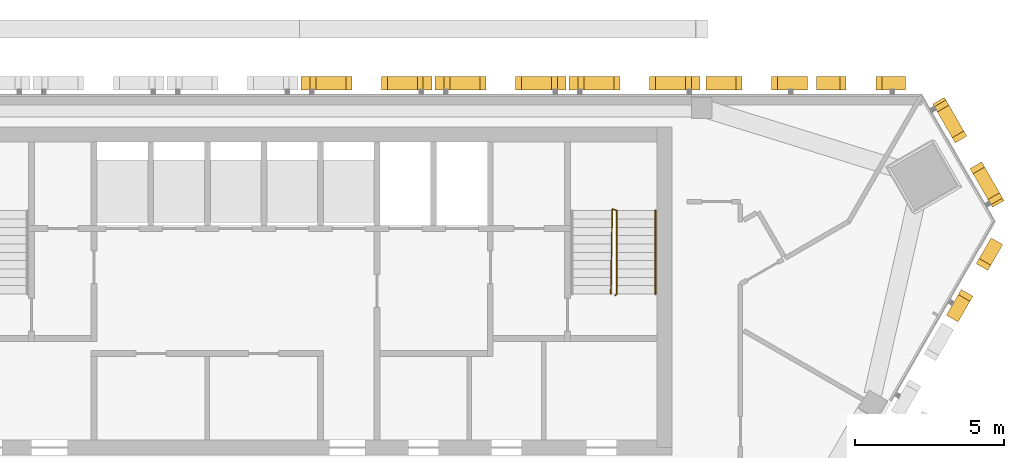
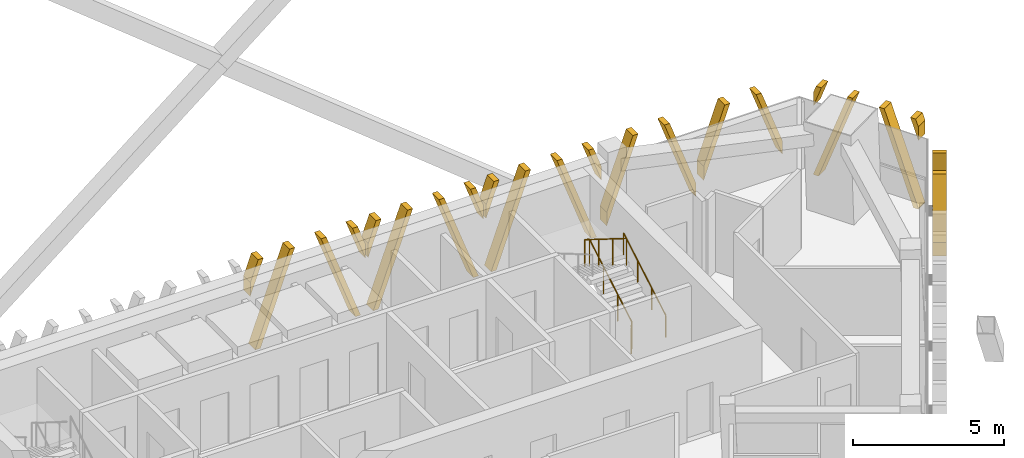
# One storey, part 13 of 14: 7 shading devices, 2 railings.
"""IFC4 building model written with IfcOpenShell, lengths in metres."""

from ifc_helpers import new_model, si_unit, direction, frame, origin, origin_2d, place, context, subcontext, project, spatial, polyline, circle, outline, extrude, source, transform, mapped, material, type_object, element, save


model = new_model("IFC4")

# Units and contexts
model_context = context("Model", 3, precision=1e-05, world=origin(), true_north=direction((0.0, 1.0)))
body_context = subcontext(model_context, "Body", "Model", "MODEL_VIEW")
ifc_project = project(units=[si_unit("LENGTHUNIT", "METRE"), si_unit("AREAUNIT", "SQUARE_METRE"), si_unit("VOLUMEUNIT", "CUBIC_METRE"), si_unit("PLANEANGLEUNIT", "RADIAN"), si_unit("MASSUNIT", "GRAM", prefix="KILO")], contexts=[model_context])

# Site, building, storey
site_placement = place(None, origin())
site = spatial("IfcSite", under=ifc_project, at=site_placement, CompositionType="ELEMENT")
building_placement = place(site_placement, origin())
building = spatial("IfcBuilding", under=site, at=building_placement, Name="Altiplano Prism Tower", CompositionType="ELEMENT")
storey_placement = place(building_placement, frame((0.0, 0.0, 264.39990234375)))
storey = spatial("IfcBuildingStorey", under=building, at=storey_placement, Name="L68", CompositionType="ELEMENT", Elevation=264.39990234375)

# Railings
ifc_material_1 = material(Name="Steel S355", Category="steel")
railing_type_1 = type_object("IfcRailingType", Name="Stair guard 1100", PredefinedType="GUARDRAIL", material=ifc_material_1)
railing_1_placement = place(storey_placement, frame((95.60009765625, 98.25, 0.0)))
element("IfcRailing", 1, at=railing_1_placement, inside=storey, type_object=railing_type_1, Name="L68 ST2 stair guard 1", PredefinedType="GUARDRAIL", context=body_context, shape_type="SweptSolid", body=[
    extrude(circle(Radius=0.02392578125, at=origin_2d()), frame((0.0, 0.0, 1.076171875), z_axis=(0.279194930351, 0.280563532951, 0.91833234444), x_axis=(-0.708833529934, 0.705375805398, 0.0)), (0.0, 0.0, 1.0), 0.178466796875),
    extrude(circle(Radius=0.02392578125, at=origin_2d()), frame((0.0498046875, 0.050048828125, 1.23974609375), z_axis=(0.0, 0.863393664356, 0.504530851732), x_axis=(-1.0, 0.0, 0.0)), (0.0, 0.0, 1.0), 3.2431640625),
    extrude(circle(Radius=0.02392578125, at=origin_2d()), frame((0.0498046875, 2.85009765625, 2.8759765625), z_axis=(-0.948991962702, 0.315300261223, 0.0), x_axis=(-0.315300261223, -0.948991962702, 0.0)), (0.0, 0.0, 1.0), 0.157958984375),
    extrude(circle(Radius=0.02392578125, at=origin_2d()), frame((-0.10009765625, 2.89990234375, 2.8759765625), z_axis=(-0.014846418356, -0.845376787675, 0.533964109957), x_axis=(0.999845825584, -0.017559187376, 0.0)), (0.0, 0.0, 1.0), 3.37109375),
    extrude(circle(Radius=0.02099609375, at=origin_2d()), origin(), (0.0, 0.0, 1.0), 1.052001953125),
    extrude(circle(Radius=0.02099609375, at=origin_2d()), frame((0.0498046875, 0.050048828125, 0.163818359375)), (0.0, 0.0, 1.0), 1.052001953125),
    extrude(circle(Radius=0.02099609375, at=origin_2d()), frame((0.0498046875, 0.9833984375, 0.709228515625)), (0.0, 0.0, 1.0), 1.052001953125),
    extrude(circle(Radius=0.02099609375, at=origin_2d()), frame((0.0498046875, 1.916748046875, 1.254638671875)), (0.0, 0.0, 1.0), 1.052001953125),
    extrude(circle(Radius=0.02099609375, at=origin_2d()), frame((0.0498046875, 2.85009765625, 1.800048828125)), (0.0, 0.0, 1.0), 1.052001953125),
    extrude(circle(Radius=0.02099609375, at=origin_2d()), frame((-0.10009765625, 2.89990234375, 1.800048828125)), (0.0, 0.0, 1.0), 1.052001953125),
    extrude(circle(Radius=0.02099609375, at=origin_2d()), frame((-0.11669921875, 1.949951171875, 2.400146484375)), (0.0, 0.0, 1.0), 1.052001953125),
    extrude(circle(Radius=0.02099609375, at=origin_2d()), frame((-0.133544921875, 1.0, 3.0)), (0.0, 0.0, 1.0), 1.052001953125),
    extrude(circle(Radius=0.02099609375, at=origin_2d()), frame((-0.150146484375, 0.050048828125, 3.60009765625)), (0.0, 0.0, 1.0), 1.052001953125),
])
railing_type_2 = type_object("IfcRailingType", Name="Stair handrail 900", PredefinedType="HANDRAIL", material=ifc_material_1)
railing_2_placement = place(storey_placement, frame((96.949951171875, 98.300048828125, 0.163818359375)))
element("IfcRailing", 2, at=railing_2_placement, inside=storey, type_object=railing_type_2, Name="L68 ST2 stair handrail 1", PredefinedType="HANDRAIL", context=body_context, shape_type="SweptSolid", body=[
    extrude(circle(Radius=0.02392578125, at=origin_2d()), frame((0.0, 0.0, 0.8759765625), z_axis=(0.0, 0.863393664356, 0.504530851732), x_axis=(-1.0, 0.0, 0.0)), (0.0, 0.0, 1.0), 3.2431640625),
    extrude(circle(Radius=0.02099609375, at=origin_2d()), origin(), (0.0, 0.0, 1.0), 0.851806640625),
    extrude(circle(Radius=0.02099609375, at=origin_2d()), frame((0.0, 0.933349609375, 0.54541015625)), (0.0, 0.0, 1.0), 0.851806640625),
    extrude(circle(Radius=0.02099609375, at=origin_2d()), frame((0.0, 1.86669921875, 1.0908203125)), (0.0, 0.0, 1.0), 0.851806640625),
    extrude(circle(Radius=0.02099609375, at=origin_2d()), frame((0.0, 2.800048828125, 1.63623046875)), (0.0, 0.0, 1.0), 0.851806640625),
])

# Shading devices
ifc_material_2 = material(Name="Warm limestone cast stone", Category="masonry")
shading_device_type_1 = type_object("IfcShadingDeviceType", Name="Stone fin panel, standard unit", PredefinedType="USERDEFINED", material=ifc_material_2)
shared_shape_1 = source(origin(), body_context, "Body", "SweptSolid", [
    extrude(outline(polyline([(-2.199951171875, 2.226318359375), (-1.699951171875, 3.60009765625), (-1.89990234375, 3.60009765625), (-2.199951171875, 2.77587890625), (-2.199951171875, 2.226318359375)])), frame((0.0, -0.14990234375, 0.0), z_axis=(0.0, -1.0, 0.0), x_axis=(1.0, 0.0, 0.0)), (0.0, 0.0, 1.0), 0.4501953125),
    extrude(outline(polyline([(-2.01025390625, 0.0), (-1.810302734375, 0.0), (-0.5, 3.60009765625), (-0.699951171875, 3.60009765625), (-2.01025390625, 0.0)])), frame((0.0, -0.14990234375, 0.0), z_axis=(0.0, -1.0, 0.0), x_axis=(1.0, 0.0, 0.0)), (0.0, 0.0, 1.0), 0.4501953125),
    extrude(outline(polyline([(1.810302734375, 0.0), (2.01025390625, 0.0), (0.699951171875, 3.60009765625), (0.5, 3.60009765625), (1.810302734375, 0.0)])), frame((0.0, -0.14990234375, 0.0), z_axis=(0.0, -1.0, 0.0), x_axis=(1.0, 0.0, 0.0)), (0.0, 0.0, 1.0), 0.4501953125),
    extrude(outline(polyline([(2.199951171875, 2.77587890625), (1.89990234375, 3.60009765625), (1.699951171875, 3.60009765625), (2.199951171875, 2.226318359375), (2.199951171875, 2.77587890625)])), frame((0.0, -0.14990234375, 0.0), z_axis=(0.0, -1.0, 0.0), x_axis=(1.0, 0.0, 0.0)), (0.0, 0.0, 1.0), 0.4501953125),
])
shading_device_1_placement = place(storey_placement, origin())
element("IfcShadingDevice", 3, at=shading_device_1_placement, inside=storey, type_object=shading_device_type_1, Name="Fin L68 north face 3", ObjectType="FIN", PredefinedType="USERDEFINED", context=body_context, shape_type="MappedRepresentation", body=[
    mapped(shared_shape_1, transform((96.25, 105.0, -0.39990234375), x_axis=(-1.0, 0.0, 0.0), y_axis=(0.0, -1.0, 0.0), z_axis=(0.0, 0.0, 1.0))),
])
shading_device_2_placement = place(storey_placement, origin())
element("IfcShadingDevice", 4, at=shading_device_2_placement, inside=storey, type_object=shading_device_type_1, Name="Fin L68 north face 4", ObjectType="FIN", PredefinedType="USERDEFINED", context=body_context, shape_type="MappedRepresentation", body=[
    mapped(shared_shape_1, transform((91.75, 105.0, -0.39990234375), x_axis=(-1.0, 0.0, 0.0), y_axis=(0.0, -1.0, 0.0), z_axis=(0.0, 0.0, 1.0))),
])
shading_device_3_placement = place(storey_placement, origin())
element("IfcShadingDevice", 5, at=shading_device_3_placement, inside=storey, type_object=shading_device_type_1, Name="Fin L68 north face 5", ObjectType="FIN", PredefinedType="USERDEFINED", context=body_context, shape_type="MappedRepresentation", body=[
    mapped(shared_shape_1, transform((87.25, 105.0, -0.39990234375), x_axis=(-1.0, 0.0, 0.0), y_axis=(0.0, -1.0, 0.0), z_axis=(0.0, 0.0, 1.0))),
])
shading_device_type_2 = type_object("IfcShadingDeviceType", Name="Stone fin panel, narrow closing bay", PredefinedType="USERDEFINED", material=ifc_material_2)
shared_shape_2 = source(origin(), body_context, "Body", "SweptSolid", [
    extrude(outline(polyline([(-1.699951171875, 0.302978515625), (-0.5, 3.60009765625), (-0.699951171875, 3.60009765625), (-1.699951171875, 0.8525390625), (-1.699951171875, 0.302978515625)])), frame((0.0, -0.14990234375, 0.0), z_axis=(0.0, -1.0, 0.0), x_axis=(1.0, 0.0, 0.0)), (0.0, 0.0, 1.0), 0.4501953125),
    extrude(outline(polyline([(1.699951171875, 0.8525390625), (0.699951171875, 3.60009765625), (0.5, 3.60009765625), (1.699951171875, 0.302978515625), (1.699951171875, 0.8525390625)])), frame((0.0, -0.14990234375, 0.0), z_axis=(0.0, -1.0, 0.0), x_axis=(1.0, 0.0, 0.0)), (0.0, 0.0, 1.0), 0.4501953125),
])
shading_device_4_placement = place(storey_placement, origin())
element("IfcShadingDevice", 6, at=shading_device_4_placement, inside=storey, type_object=shading_device_type_2, Name="Fin L68 north face 2", ObjectType="FIN", PredefinedType="USERDEFINED", context=body_context, shape_type="MappedRepresentation", body=[
    mapped(shared_shape_2, transform((100.349853515625, 105.0, -0.39990234375), x_axis=(-1.0, 0.0, 0.0), y_axis=(0.0, -1.0, 0.0), z_axis=(0.0, 0.0, 1.0))),
])
shared_shape_3 = source(origin(), body_context, "Body", "SweptSolid", [
    extrude(outline(polyline([(-1.5, 0.8525390625), (-0.5, 3.60009765625), (-0.699951171875, 3.60009765625), (-1.5, 1.402099609375), (-1.5, 0.8525390625)])), frame((0.0, -0.14990234375, 0.0), z_axis=(0.0, -1.0, 0.0), x_axis=(1.0, 0.0, 0.0)), (0.0, 0.0, 1.0), 0.4501953125),
    extrude(outline(polyline([(1.5, 1.402099609375), (0.699951171875, 3.60009765625), (0.5, 3.60009765625), (1.5, 0.8525390625), (1.5, 1.402099609375)])), frame((0.0, -0.14990234375, 0.0), z_axis=(0.0, -1.0, 0.0), x_axis=(1.0, 0.0, 0.0)), (0.0, 0.0, 1.0), 0.4501953125),
])
shading_device_5_placement = place(storey_placement, origin())
element("IfcShadingDevice", 7, at=shading_device_5_placement, inside=storey, type_object=shading_device_type_2, Name="Fin L68 north face 1", ObjectType="FIN", PredefinedType="USERDEFINED", context=body_context, shape_type="MappedRepresentation", body=[
    mapped(shared_shape_3, transform((103.849365234375, 105.0, -0.39990234375), x_axis=(-1.0, 0.0, 0.0), y_axis=(0.0, -1.0, 0.0), z_axis=(0.0, 0.0, 1.0))),
])
shading_device_6_placement = place(storey_placement, origin())
element("IfcShadingDevice", 8, at=shading_device_6_placement, inside=storey, type_object=shading_device_type_2, Name="Fin L68 south-east face 10", ObjectType="FIN", PredefinedType="USERDEFINED", context=body_context, shape_type="MappedRepresentation", body=[
    mapped(shared_shape_3, transform((107.33642578125, 98.960205078125, -0.39990234375), x_axis=(0.499999990242, 0.866025409418, 0.0), y_axis=(-0.866025409418, 0.499999990242, 0.0), z_axis=(0.0, 0.0, 1.0))),
])
shading_device_type_3 = type_object("IfcShadingDeviceType", Name="Stone fin panel, chamfer unit", PredefinedType="USERDEFINED", material=ifc_material_2)
shared_shape_4 = source(origin(), body_context, "Body", "SweptSolid", [
    extrude(outline(polyline([(-2.0, 0.0), (-1.810302734375, 0.0), (-0.5, 3.60009765625), (-0.699951171875, 3.60009765625), (-2.0, 0.0283203125), (-2.0, 0.0)])), frame((0.0, -0.14990234375, 0.0), z_axis=(0.0, -1.0, 0.0), x_axis=(1.0, 0.0, 0.0)), (0.0, 0.0, 1.0), 0.4501953125),
    extrude(outline(polyline([(-2.0, 2.77587890625), (-1.699951171875, 3.60009765625), (-1.89990234375, 3.60009765625), (-2.0, 3.3251953125), (-2.0, 2.77587890625)])), frame((0.0, -0.14990234375, 0.0), z_axis=(0.0, -1.0, 0.0), x_axis=(1.0, 0.0, 0.0)), (0.0, 0.0, 1.0), 0.4501953125),
    extrude(outline(polyline([(1.810302734375, 0.0), (2.0, 0.0), (2.0, 0.0283203125), (0.699951171875, 3.60009765625), (0.5, 3.60009765625), (1.810302734375, 0.0)])), frame((0.0, -0.14990234375, 0.0), z_axis=(0.0, -1.0, 0.0), x_axis=(1.0, 0.0, 0.0)), (0.0, 0.0, 1.0), 0.4501953125),
    extrude(outline(polyline([(2.0, 3.3251953125), (1.89990234375, 3.60009765625), (1.699951171875, 3.60009765625), (2.0, 2.77587890625), (2.0, 3.3251953125)])), frame((0.0, -0.14990234375, 0.0), z_axis=(0.0, -1.0, 0.0), x_axis=(1.0, 0.0, 0.0)), (0.0, 0.0, 1.0), 0.4501953125),
])
shading_device_7_placement = place(storey_placement, origin())
element("IfcShadingDevice", 9, at=shading_device_7_placement, inside=storey, type_object=shading_device_type_3, Name="Fin L68 north-east chamfer 1", ObjectType="FIN", PredefinedType="USERDEFINED", context=body_context, shape_type="MappedRepresentation", body=[
    mapped(shared_shape_4, transform((107.130126953125, 102.86767578125, -0.39990234375), x_axis=(-0.499999876163, 0.866025475282, 0.0), y_axis=(-0.866025475282, -0.499999876163, 0.0), z_axis=(0.0, 0.0, 1.0))),
])

save(model, "model.ifc")
